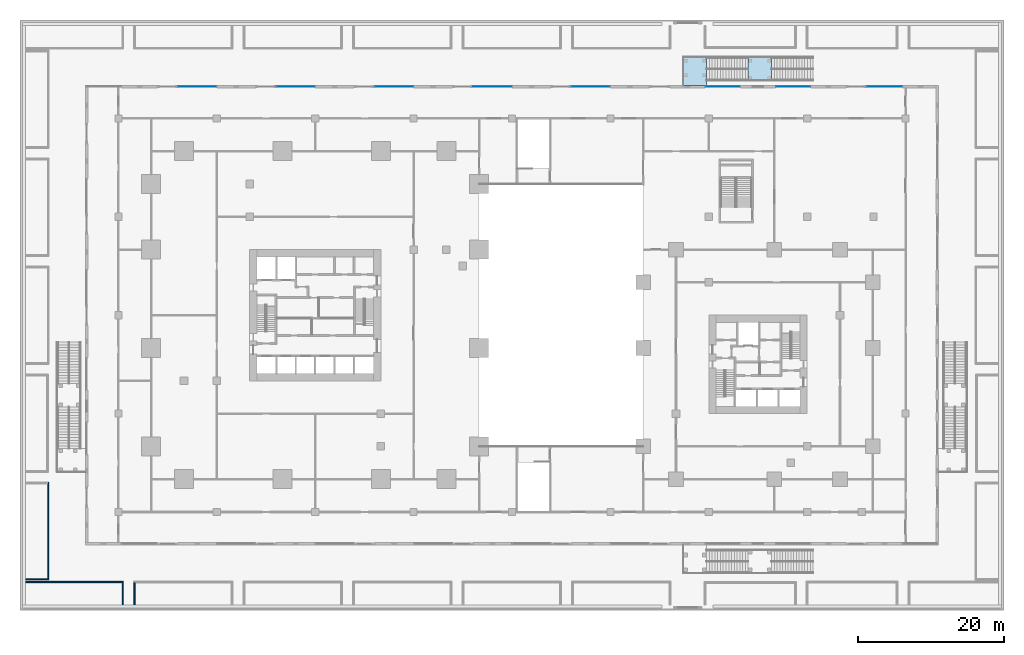
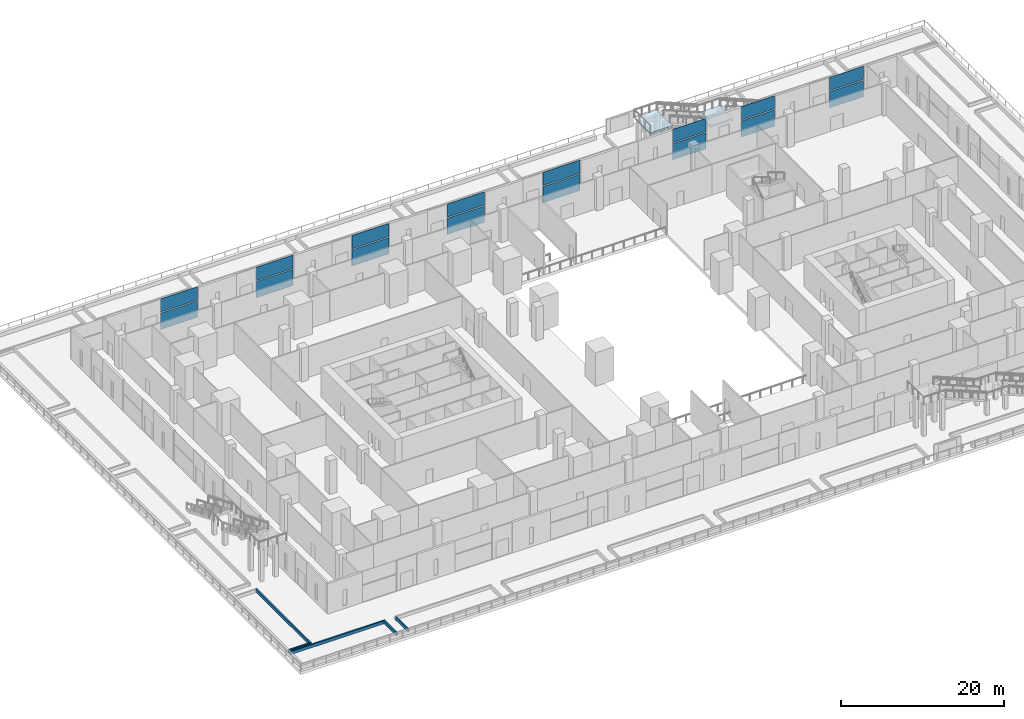
# One storey, part 26 of 49: 16 plates, 5 walls, 2 slabs, 9 elements without a shape of their own.
"""IFC4 building model written with IfcOpenShell, lengths in metres."""

import ifcopenshell
import ifcopenshell.guid

model = None  # the IFC model being written
_history = None  # IfcOwnerHistory: only IFC2X3 demands one
_inside = {}  # id of a spatial element -> (the spatial element, [elements in it])
_under = {}  # id of a project, library or spatial element -> (it, [spatial elements below it])
_declared = {}  # id of a project -> (the project, [libraries it declares])
_typed = {}  # id of a type object -> (the type object, [elements of that type])
_made_of = {}  # id of a material, layer set ... -> (it, [elements and type objects made of it])


def new_model(schema):
    """Start an empty IFC model of exactly this schema.

    Asked for "IFC4X3", IfcOpenShell would pick the latest addendum, in which some entities
    have other attributes; the version numbers below select the first issue.
    IFC2X3 requires an IfcOwnerHistory on every rooted entity: one is made here for all.
    """
    global model, _history
    if schema == "IFC4X3":
        model = ifcopenshell.file(schema_version=(4, 3, 0, 0))
    else:
        model = ifcopenshell.file(schema=schema)
    _inside.clear()
    _under.clear()
    _declared.clear()
    _typed.clear()
    _made_of.clear()
    _history = None
    if model.schema == "IFC2X3":
        org = make("IfcOrganization", Name="unknown")
        user = make(
            "IfcPersonAndOrganization",
            ThePerson=make("IfcPerson", FamilyName="unknown"),
            TheOrganization=org,
        )
        app = make(
            "IfcApplication",
            ApplicationDeveloper=org,
            Version="unknown",
            ApplicationFullName="unknown",
            ApplicationIdentifier="unknown",
        )
        _history = make(
            "IfcOwnerHistory",
            OwningUser=user,
            OwningApplication=app,
            ChangeAction="ADDED",
            CreationDate=0,
        )
    return model


def make(cls, **values):
    """One entity of the class cls with the attributes given. An attribute that is None is left unset."""
    return model.create_entity(
        cls, **{name: value for name, value in values.items() if value is not None}
    )


def rooted(cls, **values):
    """An entity with a GlobalId (a new one), such as an element, a storey or a relation."""
    return make(cls, GlobalId=ifcopenshell.guid.new(), OwnerHistory=_history, **values)


def si_unit(unit_type, name, prefix=None):
    """IfcSIUnit, for example si_unit("LENGTHUNIT", "METRE", prefix="MILLI")."""
    return make("IfcSIUnit", UnitType=unit_type, Prefix=prefix, Name=name)


def assignment(units):
    """IfcUnitAssignment: the units of a project."""
    return None if units is None else make("IfcUnitAssignment", Units=units)


def point(xyz):
    """IfcCartesianPoint."""
    return None if xyz is None else make("IfcCartesianPoint", Coordinates=xyz)


def direction(xyz):
    """IfcDirection."""
    return None if xyz is None else make("IfcDirection", DirectionRatios=xyz)


def frame(location, z_axis=None, x_axis=None):
    """IfcAxis2Placement3D, a coordinate frame: its origin and axes. An axis left out is left unset."""
    return make(
        "IfcAxis2Placement3D",
        Location=point(location),
        Axis=direction(z_axis),
        RefDirection=direction(x_axis),
    )


def frame_2d(location, x_axis=None):
    """IfcAxis2Placement2D, a coordinate frame in the plane: its origin and x axis."""
    return make(
        "IfcAxis2Placement2D", Location=point(location), RefDirection=direction(x_axis)
    )


def origin():
    """The frame at (0, 0, 0) with its axes left unset."""
    return frame((0.0, 0.0, 0.0))


def origin_2d():
    """The frame at (0, 0) in the plane with its x axis left unset."""
    return frame_2d((0.0, 0.0))


def place(relative_to, where):
    """IfcLocalPlacement: puts the frame where relative to a parent placement (None: the world)."""
    return make(
        "IfcLocalPlacement", PlacementRelTo=relative_to, RelativePlacement=where
    )


def context(
    kind, dimensions, precision=None, world=None, true_north=None, identifier=None
):
    """IfcGeometricRepresentationContext, for example the 3D "Model" context."""
    return make(
        "IfcGeometricRepresentationContext",
        ContextIdentifier=identifier,
        ContextType=kind,
        CoordinateSpaceDimension=dimensions,
        Precision=precision,
        WorldCoordinateSystem=world,
        TrueNorth=true_north,
    )


def subcontext(parent, identifier, kind, view, scale=None):
    """IfcGeometricRepresentationSubContext, for example "Body" below "Model"."""
    return make(
        "IfcGeometricRepresentationSubContext",
        ContextIdentifier=identifier,
        ContextType=kind,
        ParentContext=parent,
        TargetScale=scale,
        TargetView=view,
    )


def project(units=None, contexts=None):
    """IfcProject with its units and contexts."""
    return rooted(
        "IfcProject",
        Name="project",
        RepresentationContexts=contexts,
        UnitsInContext=assignment(units),
    )


def spatial(cls, under=None, at=None, **own):
    """A site, building, storey or space (cls), placed at a placement, below another one or the project."""
    s = rooted(cls, ObjectPlacement=at, **own)
    if under is not None:
        _under.setdefault(under.id(), (under, []))[1].append(s)
    return s


def polyline(points):
    """IfcPolyline through the points."""
    return make("IfcPolyline", Points=[point(p) for p in points])


def profile(cls, at=None, kind="AREA", **sizes):
    """A parametric profile (cls). Its sizes go by their IFC names, for example OverallWidth=200.0."""
    return make(cls, ProfileType=kind, Position=at, **sizes)


def rectangle(**sizes):
    """IfcRectangleProfileDef."""
    return profile("IfcRectangleProfileDef", **sizes)


def outline(outer, holes=None, kind="AREA"):
    """IfcArbitraryClosedProfileDef: a profile drawn as a closed curve; with holes, ...WithVoids."""
    if holes is None:
        return make("IfcArbitraryClosedProfileDef", ProfileType=kind, OuterCurve=outer)
    return make(
        "IfcArbitraryProfileDefWithVoids",
        ProfileType=kind,
        OuterCurve=outer,
        InnerCurves=holes,
    )


def extrude(swept, where, along, depth):
    """IfcExtrudedAreaSolid: the profile swept, set in the frame where, extruded along a direction by depth."""
    return make(
        "IfcExtrudedAreaSolid",
        SweptArea=swept,
        Position=where,
        ExtrudedDirection=direction(along),
        Depth=depth,
    )


def shape(context_of_items, identifier, shape_type, items):
    """IfcShapeRepresentation: the items that make up one representation, for example the "Body"."""
    return make(
        "IfcShapeRepresentation",
        ContextOfItems=context_of_items,
        RepresentationIdentifier=identifier,
        RepresentationType=shape_type,
        Items=items,
    )


def material(Name=None, Category=None):
    """IfcMaterial."""
    return make("IfcMaterial", Name=Name, Category=Category)


def layer(
    of_material, thickness, ventilated=None, Name=None, Category=None, Priority=None
):
    """IfcMaterialLayer: one layer of a wall or slab, of a material (None: an air gap)."""
    return make(
        "IfcMaterialLayer",
        Material=of_material,
        LayerThickness=thickness,
        IsVentilated=ventilated,
        Name=Name,
        Category=Category,
        Priority=Priority,
    )


def layer_set(layers, Name=None):
    """IfcMaterialLayerSet."""
    return make("IfcMaterialLayerSet", MaterialLayers=layers, LayerSetName=Name)


def made_of(thing, what):
    """Note that an element or type object is made of a material, layer set ...; save() writes the relation."""
    if what is not None:
        _made_of.setdefault(what.id(), (what, []))[1].append(thing)
    return thing


def type_object(cls, material=None, **own):
    """A type object (cls), such as IfcWallType, which elements share."""
    return made_of(rooted(cls, **own), material)


def element(
    cls,
    number,
    at=None,
    inside=None,
    cuts=None,
    type_object=None,
    material=None,
    context=None,
    identifier="Body",
    shape_type=None,
    held_by="IfcProductDefinitionShape",
    body=None,
    shapes=None,
    **own,
):
    """One element of the class cls, such as IfcWall. Its Tag is "e" and its number.

    at: its placement. inside: the storey or other place that contains it. cuts: it is an
    opening in that element (IfcRelVoidsElement). A single representation is given by context,
    identifier, shape_type and body (its items); several are given by shapes. held_by: the class
    of the entity that holds the representations. save() writes the other relations.
    """
    e = rooted(cls, Tag="e%d" % number, ObjectPlacement=at, **own)
    if body is not None:
        shapes = [shape(context, identifier, shape_type, body)]
    if shapes is not None:
        e.Representation = make(held_by, Representations=shapes)
    if inside is not None:
        _inside.setdefault(inside.id(), (inside, []))[1].append(e)
    if cuts is not None:
        rooted(
            "IfcRelVoidsElement", RelatingBuildingElement=cuts, RelatedOpeningElement=e
        )
    if type_object is not None:
        _typed.setdefault(type_object.id(), (type_object, []))[1].append(e)
    return made_of(e, material)


def aggregate(whole, parts):
    """IfcRelAggregates: a whole, such as a stair, and the parts it consists of."""
    return rooted("IfcRelAggregates", RelatingObject=whole, RelatedObjects=parts)


def save(model, path):
    """Write the relations noted so far, then the file.

    IfcRelAggregates (storeys below a building ...), IfcRelContainedInSpatialStructure (elements
    in a storey), IfcRelDefinesByType, IfcRelAssociatesMaterial and IfcRelDeclares: one each for
    every whole, place, type object, material and project.
    """
    for whole, parts in _under.values():
        aggregate(whole, parts)
    for where, things in _inside.values():
        rooted(
            "IfcRelContainedInSpatialStructure",
            RelatedElements=things,
            RelatingStructure=where,
        )
    for kind, things in _typed.values():
        rooted("IfcRelDefinesByType", RelatedObjects=things, RelatingType=kind)
    for what, things in _made_of.values():
        rooted("IfcRelAssociatesMaterial", RelatedObjects=things, RelatingMaterial=what)
    for by, libraries in _declared.values():
        rooted("IfcRelDeclares", RelatingContext=by, RelatedDefinitions=libraries)
    model.write(path)


model = new_model("IFC4")

# Units and contexts
model_context = context("Model", 3, precision=1e-05, world=origin(), true_north=direction((0.0, 1.0)))
body_context = subcontext(model_context, "Body", "Model", "MODEL_VIEW")
ifc_project = project(units=[si_unit("LENGTHUNIT", "METRE"), si_unit("AREAUNIT", "SQUARE_METRE"), si_unit("VOLUMEUNIT", "CUBIC_METRE"), si_unit("PLANEANGLEUNIT", "RADIAN"), si_unit("MASSUNIT", "GRAM", prefix="KILO")], contexts=[model_context])

# Site, building, storey
site_placement = place(None, origin())
site = spatial("IfcSite", under=ifc_project, at=site_placement, CompositionType="ELEMENT")
building_placement = place(site_placement, origin())
building = spatial("IfcBuilding", under=site, at=building_placement, Name="Altepetl Exchange Towers", CompositionType="ELEMENT")
storey_placement = place(building_placement, frame((0.0, 0.0, 11.5)))
storey = spatial("IfcBuildingStorey", under=building, at=storey_placement, Name="L02 Exchange podium", CompositionType="ELEMENT", Elevation=11.5)

# Stair, slabs
ifc_material_1 = material(Name="Reinforced concrete C35/45", Category="concrete")
stair_type = type_object("IfcStairType", Name="Exit garden steps 3200", PredefinedType="TWO_STRAIGHT_RUN_STAIR", material=ifc_material_1)
stair_placement = place(storey_placement, origin())
stair = element("IfcStair", 1, at=stair_placement, inside=storey, type_object=stair_type, Name="ST-G14 exit garden steps", PredefinedType="TWO_STRAIGHT_RUN_STAIR")
ifc_layer_1 = layer(ifc_material_1, 0.25)
ifc_layer_set_1 = layer_set([ifc_layer_1], Name="Reinforced concrete C35/45")
slab_type = type_object("IfcSlabType", Name="Garden steps landing 250", PredefinedType="LANDING", material=ifc_layer_set_1)
slab_1_placement = place(storey_placement, frame((0.0, 0.0, 4.75)))
slab_1 = element("IfcSlab", 2, at=slab_1_placement, type_object=slab_type, Name="ST-G14 landing 1", PredefinedType="LANDING", context=body_context, shape_type="SweptSolid", body=[
    extrude(outline(polyline([(100.0, 81.0), (103.199951171875, 81.0), (103.199951171875, 84.89990234375), (100.0, 84.89990234375), (100.0, 81.0)])), origin(), (0.0, 0.0, 1.0), 0.25),
])
slab_2_placement = place(storey_placement, frame((0.0, 0.0, 2.25)))
slab_2 = element("IfcSlab", 3, at=slab_2_placement, type_object=slab_type, Name="ST-G14 landing 2", PredefinedType="LANDING", context=body_context, shape_type="SweptSolid", body=[
    extrude(outline(polyline([(108.89990234375, 81.699951171875), (112.10009765625, 81.699951171875), (112.10009765625, 84.89990234375), (108.89990234375, 84.89990234375), (108.89990234375, 81.699951171875)])), origin(), (0.0, 0.0, 1.0), 0.25),
])
aggregate(stair, [slab_1, slab_2])

# Curtain wall, plates
ifc_material_2 = material(Name="Aluminium 6063-T6 glazing", Category="aluminium")
curtain_wall_type = type_object("IfcCurtainWallType", Name="Podium storefront system", PredefinedType="NOTDEFINED", material=ifc_material_2)
curtain_wall_1_placement = place(storey_placement, origin())
curtain_wall_1 = element("IfcCurtainWall", 4, at=curtain_wall_1_placement, inside=storey, type_object=curtain_wall_type, Name="CW5 run", PredefinedType="NOTDEFINED")
ifc_material_3 = material(Name="Glass 8-16-8 toughened", Category="glass")
ifc_layer_2 = layer(ifc_material_3, 0.031982421875)
ifc_layer_set_2 = layer_set([ifc_layer_2], Name="Glass 8-16-8 toughened")
plate_type = type_object("IfcPlateType", Name="Glass panel 32 storefront", PredefinedType="CURTAIN_PANEL", material=ifc_layer_set_2)
plate_1_placement = place(storey_placement, frame((127.612548828125, 80.85009765625, 0.0), z_axis=(0.0, 0.0, 1.0), x_axis=(-1.0, 0.0, 0.0)))
plate_1 = element("IfcPlate", 5, at=plate_1_placement, type_object=plate_type, Name="GP4 panel", PredefinedType="CURTAIN_PANEL", context=body_context, shape_type="SweptSolid", body=[
    extrude(rectangle(XDim=4.804931640625, YDim=0.031982421875, at=origin_2d()), origin(), (0.0, 0.0, 1.0), 2.429931640625),
])
plate_2_placement = place(storey_placement, frame((127.612548828125, 80.85009765625, 2.570068359375), z_axis=(0.0, 0.0, 1.0), x_axis=(-1.0, 0.0, 0.0)))
plate_2 = element("IfcPlate", 6, at=plate_2_placement, type_object=plate_type, Name="GP4 panel", PredefinedType="CURTAIN_PANEL", context=body_context, shape_type="SweptSolid", body=[
    extrude(rectangle(XDim=4.804931640625, YDim=0.031982421875, at=origin_2d()), origin(), (0.0, 0.0, 1.0), 1.97998046875),
])
aggregate(curtain_wall_1, [plate_1, plate_2])

curtain_wall_2_placement = place(storey_placement, origin())
curtain_wall_2 = element("IfcCurtainWall", 7, at=curtain_wall_2_placement, inside=storey, type_object=curtain_wall_type, Name="CW5 run", PredefinedType="NOTDEFINED")
plate_3_placement = place(storey_placement, frame((115.090087890625, 80.85009765625, 0.0), z_axis=(0.0, 0.0, 1.0), x_axis=(-1.0, 0.0, 0.0)))
plate_3 = element("IfcPlate", 8, at=plate_3_placement, type_object=plate_type, Name="GP4 panel", PredefinedType="CURTAIN_PANEL", context=body_context, shape_type="SweptSolid", body=[
    extrude(rectangle(XDim=4.719970703125, YDim=0.031982421875, at=origin_2d()), origin(), (0.0, 0.0, 1.0), 2.429931640625),
])
plate_4_placement = place(storey_placement, frame((115.090087890625, 80.85009765625, 2.570068359375), z_axis=(0.0, 0.0, 1.0), x_axis=(-1.0, 0.0, 0.0)))
plate_4 = element("IfcPlate", 9, at=plate_4_placement, type_object=plate_type, Name="GP4 panel", PredefinedType="CURTAIN_PANEL", context=body_context, shape_type="SweptSolid", body=[
    extrude(rectangle(XDim=4.719970703125, YDim=0.031982421875, at=origin_2d()), origin(), (0.0, 0.0, 1.0), 1.97998046875),
])
aggregate(curtain_wall_2, [plate_3, plate_4])

curtain_wall_3_placement = place(storey_placement, origin())
curtain_wall_3 = element("IfcCurtainWall", 10, at=curtain_wall_3_placement, inside=storey, type_object=curtain_wall_type, Name="CW5 run", PredefinedType="NOTDEFINED")
plate_5_placement = place(storey_placement, frame((105.409912109375, 80.85009765625, 0.0), z_axis=(0.0, 0.0, 1.0), x_axis=(-1.0, 0.0, 0.0)))
plate_5 = element("IfcPlate", 11, at=plate_5_placement, type_object=plate_type, Name="GP4 panel", PredefinedType="CURTAIN_PANEL", context=body_context, shape_type="SweptSolid", body=[
    extrude(rectangle(XDim=4.719970703125, YDim=0.031982421875, at=origin_2d()), origin(), (0.0, 0.0, 1.0), 2.429931640625),
])
plate_6_placement = place(storey_placement, frame((105.409912109375, 80.85009765625, 2.570068359375), z_axis=(0.0, 0.0, 1.0), x_axis=(-1.0, 0.0, 0.0)))
plate_6 = element("IfcPlate", 12, at=plate_6_placement, type_object=plate_type, Name="GP4 panel", PredefinedType="CURTAIN_PANEL", context=body_context, shape_type="SweptSolid", body=[
    extrude(rectangle(XDim=4.719970703125, YDim=0.031982421875, at=origin_2d()), origin(), (0.0, 0.0, 1.0), 1.97998046875),
])
aggregate(curtain_wall_3, [plate_5, plate_6])

curtain_wall_4_placement = place(storey_placement, origin())
curtain_wall_4 = element("IfcCurtainWall", 13, at=curtain_wall_4_placement, inside=storey, type_object=curtain_wall_type, Name="CW5 run", PredefinedType="NOTDEFINED")
plate_7_placement = place(storey_placement, frame((87.324951171875, 80.85009765625, 0.0), z_axis=(0.0, 0.0, 1.0), x_axis=(-1.0, 0.0, 0.0)))
plate_7 = element("IfcPlate", 14, at=plate_7_placement, type_object=plate_type, Name="GP4 panel", PredefinedType="CURTAIN_PANEL", context=body_context, shape_type="SweptSolid", body=[
    extrude(rectangle(XDim=5.22998046875, YDim=0.031982421875, at=origin_2d()), origin(), (0.0, 0.0, 1.0), 2.429931640625),
])
plate_8_placement = place(storey_placement, frame((87.324951171875, 80.85009765625, 2.570068359375), z_axis=(0.0, 0.0, 1.0), x_axis=(-1.0, 0.0, 0.0)))
plate_8 = element("IfcPlate", 15, at=plate_8_placement, type_object=plate_type, Name="GP4 panel", PredefinedType="CURTAIN_PANEL", context=body_context, shape_type="SweptSolid", body=[
    extrude(rectangle(XDim=5.22998046875, YDim=0.031982421875, at=origin_2d()), origin(), (0.0, 0.0, 1.0), 1.97998046875),
])
aggregate(curtain_wall_4, [plate_7, plate_8])

curtain_wall_5_placement = place(storey_placement, origin())
curtain_wall_5 = element("IfcCurtainWall", 16, at=curtain_wall_5_placement, inside=storey, type_object=curtain_wall_type, Name="CW5 run", PredefinedType="NOTDEFINED")
plate_9_placement = place(storey_placement, frame((73.824951171875, 80.85009765625, 0.0), z_axis=(0.0, 0.0, 1.0), x_axis=(-1.0, 0.0, 0.0)))
plate_9 = element("IfcPlate", 17, at=plate_9_placement, type_object=plate_type, Name="GP4 panel", PredefinedType="CURTAIN_PANEL", context=body_context, shape_type="SweptSolid", body=[
    extrude(rectangle(XDim=5.22998046875, YDim=0.031982421875, at=origin_2d()), origin(), (0.0, 0.0, 1.0), 2.429931640625),
])
plate_10_placement = place(storey_placement, frame((73.824951171875, 80.85009765625, 2.570068359375), z_axis=(0.0, 0.0, 1.0), x_axis=(-1.0, 0.0, 0.0)))
plate_10 = element("IfcPlate", 18, at=plate_10_placement, type_object=plate_type, Name="GP4 panel", PredefinedType="CURTAIN_PANEL", context=body_context, shape_type="SweptSolid", body=[
    extrude(rectangle(XDim=5.22998046875, YDim=0.031982421875, at=origin_2d()), origin(), (0.0, 0.0, 1.0), 1.97998046875),
])
aggregate(curtain_wall_5, [plate_9, plate_10])

curtain_wall_6_placement = place(storey_placement, origin())
curtain_wall_6 = element("IfcCurtainWall", 19, at=curtain_wall_6_placement, inside=storey, type_object=curtain_wall_type, Name="CW5 run", PredefinedType="NOTDEFINED")
plate_11_placement = place(storey_placement, frame((60.324951171875, 80.85009765625, 0.0), z_axis=(0.0, 0.0, 1.0), x_axis=(-1.0, 0.0, 0.0)))
plate_11 = element("IfcPlate", 20, at=plate_11_placement, type_object=plate_type, Name="GP4 panel", PredefinedType="CURTAIN_PANEL", context=body_context, shape_type="SweptSolid", body=[
    extrude(rectangle(XDim=5.22998046875, YDim=0.031982421875, at=origin_2d()), origin(), (0.0, 0.0, 1.0), 2.429931640625),
])
plate_12_placement = place(storey_placement, frame((60.324951171875, 80.85009765625, 2.570068359375), z_axis=(0.0, 0.0, 1.0), x_axis=(-1.0, 0.0, 0.0)))
plate_12 = element("IfcPlate", 21, at=plate_12_placement, type_object=plate_type, Name="GP4 panel", PredefinedType="CURTAIN_PANEL", context=body_context, shape_type="SweptSolid", body=[
    extrude(rectangle(XDim=5.22998046875, YDim=0.031982421875, at=origin_2d()), origin(), (0.0, 0.0, 1.0), 1.97998046875),
])
aggregate(curtain_wall_6, [plate_11, plate_12])

curtain_wall_7_placement = place(storey_placement, origin())
curtain_wall_7 = element("IfcCurtainWall", 22, at=curtain_wall_7_placement, inside=storey, type_object=curtain_wall_type, Name="CW5 run", PredefinedType="NOTDEFINED")
plate_13_placement = place(storey_placement, frame((46.824951171875, 80.85009765625, 0.0), z_axis=(0.0, 0.0, 1.0), x_axis=(-1.0, 0.0, 0.0)))
plate_13 = element("IfcPlate", 23, at=plate_13_placement, type_object=plate_type, Name="GP4 panel", PredefinedType="CURTAIN_PANEL", context=body_context, shape_type="SweptSolid", body=[
    extrude(rectangle(XDim=5.22998046875, YDim=0.031982421875, at=origin_2d()), origin(), (0.0, 0.0, 1.0), 2.429931640625),
])
plate_14_placement = place(storey_placement, frame((46.824951171875, 80.85009765625, 2.570068359375), z_axis=(0.0, 0.0, 1.0), x_axis=(-1.0, 0.0, 0.0)))
plate_14 = element("IfcPlate", 24, at=plate_14_placement, type_object=plate_type, Name="GP4 panel", PredefinedType="CURTAIN_PANEL", context=body_context, shape_type="SweptSolid", body=[
    extrude(rectangle(XDim=5.22998046875, YDim=0.031982421875, at=origin_2d()), origin(), (0.0, 0.0, 1.0), 1.97998046875),
])
aggregate(curtain_wall_7, [plate_13, plate_14])

curtain_wall_8_placement = place(storey_placement, origin())
curtain_wall_8 = element("IfcCurtainWall", 25, at=curtain_wall_8_placement, inside=storey, type_object=curtain_wall_type, Name="CW5 run", PredefinedType="NOTDEFINED")
plate_15_placement = place(storey_placement, frame((33.324951171875, 80.85009765625, 0.0), z_axis=(0.0, 0.0, 1.0), x_axis=(-1.0, 0.0, 0.0)))
plate_15 = element("IfcPlate", 26, at=plate_15_placement, type_object=plate_type, Name="GP4 panel", PredefinedType="CURTAIN_PANEL", context=body_context, shape_type="SweptSolid", body=[
    extrude(rectangle(XDim=5.22998046875, YDim=0.031982421875, at=origin_2d()), origin(), (0.0, 0.0, 1.0), 2.429931640625),
])
plate_16_placement = place(storey_placement, frame((33.324951171875, 80.85009765625, 2.570068359375), z_axis=(0.0, 0.0, 1.0), x_axis=(-1.0, 0.0, 0.0)))
plate_16 = element("IfcPlate", 27, at=plate_16_placement, type_object=plate_type, Name="GP4 panel", PredefinedType="CURTAIN_PANEL", context=body_context, shape_type="SweptSolid", body=[
    extrude(rectangle(XDim=5.22998046875, YDim=0.031982421875, at=origin_2d()), origin(), (0.0, 0.0, 1.0), 1.97998046875),
])
aggregate(curtain_wall_8, [plate_15, plate_16])

# Walls
ifc_layer_3 = layer(ifc_material_1, 0.199951171875)
ifc_layer_set_3 = layer_set([ifc_layer_3], Name="Reinforced concrete C35/45")
wall_type = type_object("IfcWallType", Name="Planting bed curb 200", PredefinedType="SOLIDWALL", material=ifc_layer_set_3)
wall_1_placement = place(storey_placement, frame((23.095703125, 9.77490234375, 0.0), z_axis=(0.0, 0.0, 1.0), x_axis=(0.0, 1.0, 0.0)))
element("IfcWall", 28, at=wall_1_placement, inside=storey, type_object=wall_type, Name="wall:P:L02:CB04e", PredefinedType="SOLIDWALL", context=body_context, shape_type="SweptSolid", body=[
    extrude(rectangle(XDim=3.2001953125, YDim=0.199951171875, at=frame_2d((1.60009765625, 0.0))), origin(), (0.0, 0.0, 1.0), 0.449951171875),
])
wall_2_placement = place(storey_placement, frame((9.77490234375, 12.875, 0.0)))
element("IfcWall", 29, at=wall_2_placement, inside=storey, type_object=wall_type, Name="wall:P:L02:CB04n", PredefinedType="SOLIDWALL", context=body_context, shape_type="SweptSolid", body=[
    extrude(rectangle(XDim=13.220947265625, YDim=0.199951171875, at=frame_2d((6.6103515625, 0.0))), origin(), (0.0, 0.0, 1.0), 0.449951171875),
])
wall_3_placement = place(storey_placement, frame((24.69580078125, 9.77490234375, 0.0), z_axis=(0.0, 0.0, 1.0), x_axis=(0.0, 1.0, 0.0)))
element("IfcWall", 30, at=wall_3_placement, inside=storey, type_object=wall_type, Name="wall:P:L02:CB05w", PredefinedType="SOLIDWALL", context=body_context, shape_type="SweptSolid", body=[
    extrude(rectangle(XDim=3.0, YDim=0.199951171875, at=frame_2d((1.5, 0.0))), origin(), (0.0, 0.0, 1.0), 0.449951171875),
])
wall_4_placement = place(storey_placement, frame((12.875, 13.175048828125, 0.0), z_axis=(0.0, 0.0, 1.0), x_axis=(0.0, 1.0, 0.0)))
element("IfcWall", 31, at=wall_4_placement, inside=storey, type_object=wall_type, Name="wall:P:L02:CB19e", PredefinedType="SOLIDWALL", context=body_context, shape_type="SweptSolid", body=[
    extrude(rectangle(XDim=13.409912109375, YDim=0.199951171875, at=frame_2d((6.705078125, 0.0))), origin(), (0.0, 0.0, 1.0), 0.449951171875),
])
wall_5_placement = place(storey_placement, frame((9.77490234375, 13.27490234375, 0.0)))
element("IfcWall", 32, at=wall_5_placement, inside=storey, type_object=wall_type, Name="wall:P:L02:CB19s", PredefinedType="SOLIDWALL", context=body_context, shape_type="SweptSolid", body=[
    extrude(rectangle(XDim=3.0, YDim=0.199951171875, at=frame_2d((1.5, 0.0))), origin(), (0.0, 0.0, 1.0), 0.449951171875),
])

save(model, "model.ifc")
